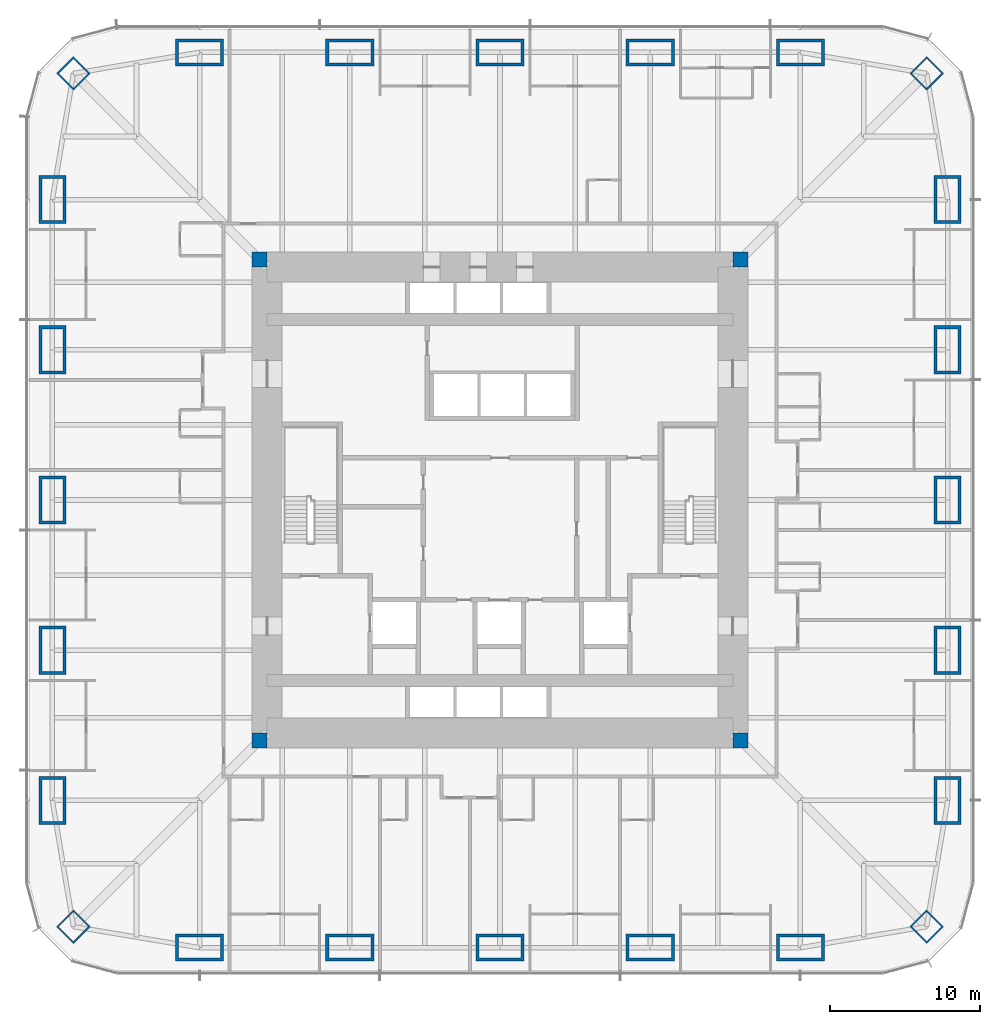
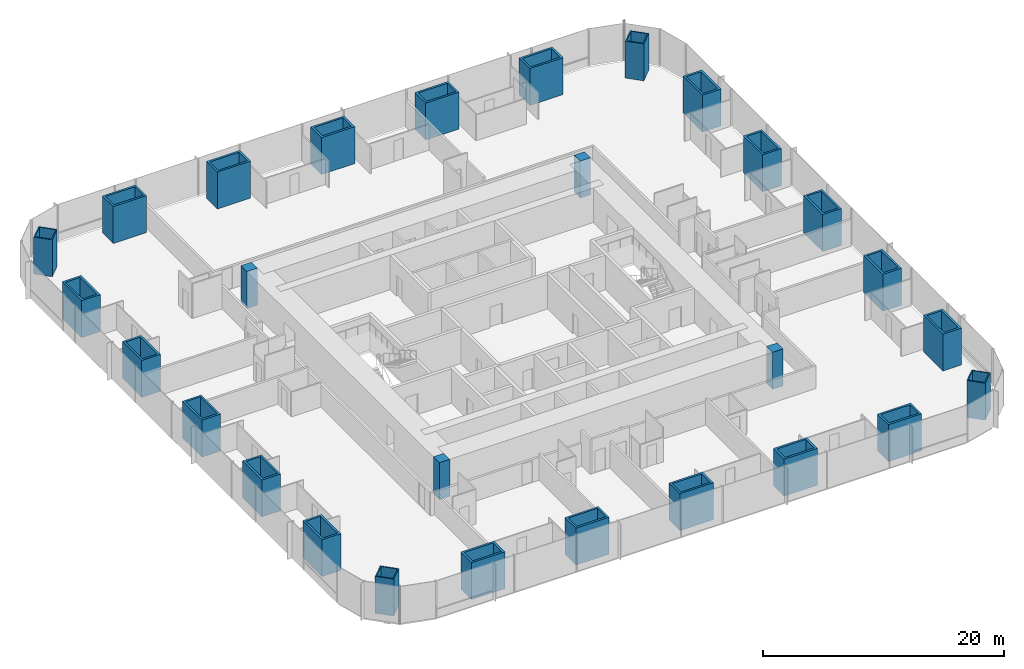
# One storey, part 1 of 17: 28 columns.
"""IFC4 building model written with IfcOpenShell, lengths in metres."""

from ifc_helpers import new_model, si_unit, direction, frame, origin, origin_2d, place, context, subcontext, project, spatial, rectangle, hollow_rectangle, extrude, material, material_profile, profile_set, type_object, element, save


model = new_model("IFC4")

# Units and contexts
model_context = context("Model", 3, precision=1e-05, world=origin(), true_north=direction((0.0, 1.0)))
body_context = subcontext(model_context, "Body", "Model", "MODEL_VIEW")
ifc_project = project(units=[si_unit("LENGTHUNIT", "METRE"), si_unit("AREAUNIT", "SQUARE_METRE"), si_unit("VOLUMEUNIT", "CUBIC_METRE"), si_unit("PLANEANGLEUNIT", "RADIAN"), si_unit("MASSUNIT", "GRAM", prefix="KILO")], contexts=[model_context])

# Site, building, storey
site_placement = place(None, origin())
site = spatial("IfcSite", under=ifc_project, at=site_placement, CompositionType="ELEMENT")
building_placement = place(site_placement, origin())
building = spatial("IfcBuilding", under=site, at=building_placement, Name="Khuree Lantern Residences", CompositionType="ELEMENT")
storey_placement = place(building_placement, frame((0.0, 0.0, 58.5)))
storey = spatial("IfcBuildingStorey", under=building, at=storey_placement, Name="L14", CompositionType="ELEMENT", Elevation=58.5)

# Columns
ifc_material_1 = material(Name="Steel S355 CFT welded box", Category="steel")
ifc_material_profile_1 = material_profile(ifc_material_1, hollow_rectangle(XDim=1.60009765625, YDim=1.60009765625, WallThickness=0.10009765625, at=origin_2d()), Name="WELDED BOX 1600X1600X100")
ifc_profile_set_1 = profile_set([ifc_material_profile_1], Name="Steel S355 CFT welded box")
column_type_1 = type_object("IfcColumnType", Name="CC1600 PERIMETER CORNER MEGA COLUMN WELDED BOX 1600X1600X100", PredefinedType="COLUMN", material=ifc_profile_set_1)
for number, where, z_axis, x_axis, name in (
    (1, (28.39404296875, 28.39404296875, 0.0), (0.0, 0.0, 1.0), (0.707106781187, -0.707106781187, 0.0), "Perimeter column NE"),
    (2, (28.39404296875, -28.39404296875, 0.0), (0.0, 0.0, 1.0), (0.707106781187, 0.707106781187, 0.0), "Perimeter column SE"),
    (3, (-28.39404296875, -28.39404296875, 0.0), (0.0, 0.0, 1.0), (0.707106781187, -0.707106781187, 0.0), "Perimeter column SW"),
    (4, (-28.39404296875, 28.39404296875, 0.0), (0.0, 0.0, 1.0), (0.707106781187, 0.707106781187, 0.0), "Perimeter column NW"),
):
    element("IfcColumn", number, at=place(storey_placement, frame(where, z_axis=z_axis, x_axis=x_axis)), inside=storey, type_object=column_type_1, Name=name, PredefinedType="COLUMN", context=body_context, shape_type="SweptSolid", body=[
        extrude(hollow_rectangle(XDim=1.60009765625, YDim=1.60009765625, WallThickness=0.10009765625, at=origin_2d()), origin(), (0.0, 0.0, 1.0), 3.75),
    ])
ifc_material_2 = material(Name="Concrete C70/85", Category="concrete")
ifc_material_profile_2 = material_profile(ifc_material_2, rectangle(XDim=1.0, YDim=1.0, at=origin_2d()), Name="RC 1000X1000")
ifc_profile_set_2 = profile_set([ifc_material_profile_2], Name="Concrete C70/85")
column_type_2 = type_object("IfcColumnType", Name="CP1000-C70 CORE CORNER PIER C70 RC 1000X1000", PredefinedType="COLUMN", material=ifc_profile_set_2)
for number, where, z_axis, x_axis, name in (
    (5, (16.0, 16.0, -0.25), (0.0, 0.0, 1.0), (1.0, 0.0, 0.0), "Core corner pier NE"),
    (6, (-16.0, 16.0, -0.25), (0.0, 0.0, 1.0), (1.0, 0.0, 0.0), "Core corner pier NW"),
    (7, (-16.0, -16.0, -0.25), (0.0, 0.0, 1.0), (1.0, 0.0, 0.0), "Core corner pier SW"),
    (8, (16.0, -16.0, -0.25), (0.0, 0.0, 1.0), (1.0, 0.0, 0.0), "Core corner pier SE"),
):
    element("IfcColumn", number, at=place(storey_placement, frame(where, z_axis=z_axis, x_axis=x_axis)), inside=storey, type_object=column_type_2, Name=name, PredefinedType="COLUMN", context=body_context, shape_type="SweptSolid", body=[
        extrude(rectangle(XDim=1.0, YDim=1.0, at=origin_2d()), origin(), (0.0, 0.0, 1.0), 3.75),
    ])
ifc_material_profile_3 = material_profile(ifc_material_1, hollow_rectangle(XDim=3.199951171875, YDim=1.800048828125, WallThickness=0.199951171875, at=origin_2d()), Name="WELDED BOX 3200X1800X200")
ifc_profile_set_3 = profile_set([ifc_material_profile_3], Name="Steel S355 CFT welded box")
column_type_3 = type_object("IfcColumnType", Name="SC1 PERIMETER MEGA COLUMN WELDED BOX 3200X1800X200", PredefinedType="COLUMN", material=ifc_profile_set_3)
for number, where, z_axis, x_axis, name in (
    (9, (-20.0, 29.800048828125, 0.0), (0.0, 0.0, 1.0), (1.0, 0.0, 0.0), "Perimeter column N1"),
    (10, (-10.0, 29.800048828125, 0.0), (0.0, 0.0, 1.0), (1.0, 0.0, 0.0), "Perimeter column N2"),
    (11, (0.0, 29.800048828125, 0.0), (0.0, 0.0, 1.0), (1.0, 0.0, 0.0), "Perimeter column N3"),
    (12, (10.0, 29.800048828125, 0.0), (0.0, 0.0, 1.0), (1.0, 0.0, 0.0), "Perimeter column N4"),
    (13, (20.0, 29.800048828125, 0.0), (0.0, 0.0, 1.0), (1.0, 0.0, 0.0), "Perimeter column N5"),
    (14, (29.800048828125, 20.0, 0.0), (0.0, 0.0, 1.0), (0.0, 1.0, 0.0), "Perimeter column E1"),
    (15, (29.800048828125, 10.0, 0.0), (0.0, 0.0, 1.0), (0.0, 1.0, 0.0), "Perimeter column E2"),
    (16, (29.800048828125, 0.0, 0.0), (0.0, 0.0, 1.0), (0.0, 1.0, 0.0), "Perimeter column E3"),
    (17, (29.800048828125, -10.0, 0.0), (0.0, 0.0, 1.0), (0.0, 1.0, 0.0), "Perimeter column E4"),
    (18, (29.800048828125, -20.0, 0.0), (0.0, 0.0, 1.0), (0.0, 1.0, 0.0), "Perimeter column E5"),
    (19, (20.0, -29.800048828125, 0.0), (0.0, 0.0, 1.0), (1.0, 0.0, 0.0), "Perimeter column S1"),
    (20, (10.0, -29.800048828125, 0.0), (0.0, 0.0, 1.0), (1.0, 0.0, 0.0), "Perimeter column S2"),
    (21, (0.0, -29.800048828125, 0.0), (0.0, 0.0, 1.0), (1.0, 0.0, 0.0), "Perimeter column S3"),
    (22, (-10.0, -29.800048828125, 0.0), (0.0, 0.0, 1.0), (1.0, 0.0, 0.0), "Perimeter column S4"),
    (23, (-20.0, -29.800048828125, 0.0), (0.0, 0.0, 1.0), (1.0, 0.0, 0.0), "Perimeter column S5"),
    (24, (-29.800048828125, -20.0, 0.0), (0.0, 0.0, 1.0), (0.0, 1.0, 0.0), "Perimeter column W1"),
    (25, (-29.800048828125, -10.0, 0.0), (0.0, 0.0, 1.0), (0.0, 1.0, 0.0), "Perimeter column W2"),
    (26, (-29.800048828125, 0.0, 0.0), (0.0, 0.0, 1.0), (0.0, 1.0, 0.0), "Perimeter column W3"),
    (27, (-29.800048828125, 10.0, 0.0), (0.0, 0.0, 1.0), (0.0, 1.0, 0.0), "Perimeter column W4"),
    (28, (-29.800048828125, 20.0, 0.0), (0.0, 0.0, 1.0), (0.0, 1.0, 0.0), "Perimeter column W5"),
):
    element("IfcColumn", number, at=place(storey_placement, frame(where, z_axis=z_axis, x_axis=x_axis)), inside=storey, type_object=column_type_3, Name=name, PredefinedType="COLUMN", context=body_context, shape_type="SweptSolid", body=[
        extrude(hollow_rectangle(XDim=3.199951171875, YDim=1.800048828125, WallThickness=0.199951171875, at=origin_2d()), origin(), (0.0, 0.0, 1.0), 3.75),
    ])

save(model, "model.ifc")
